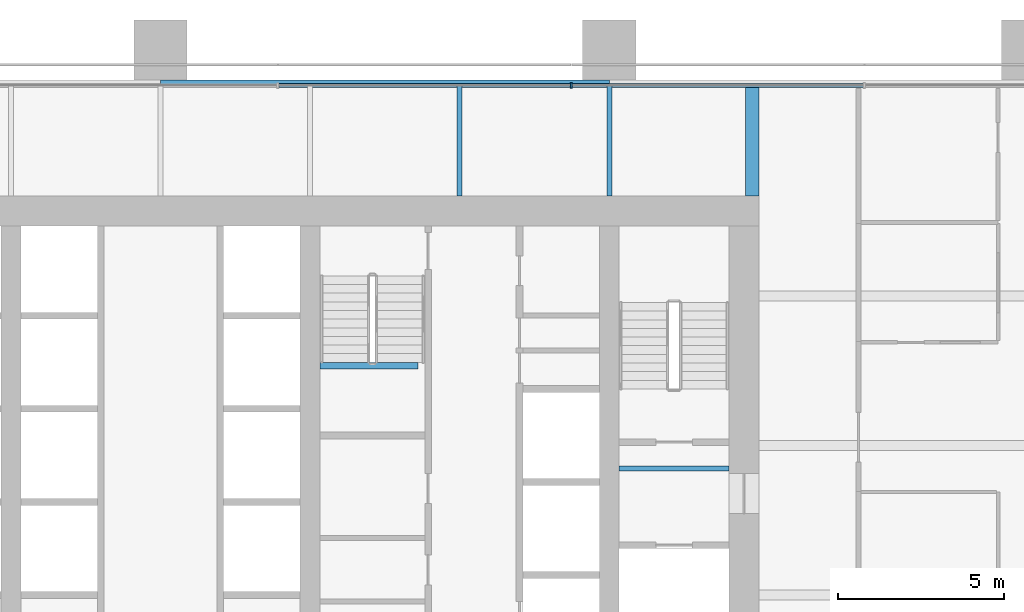
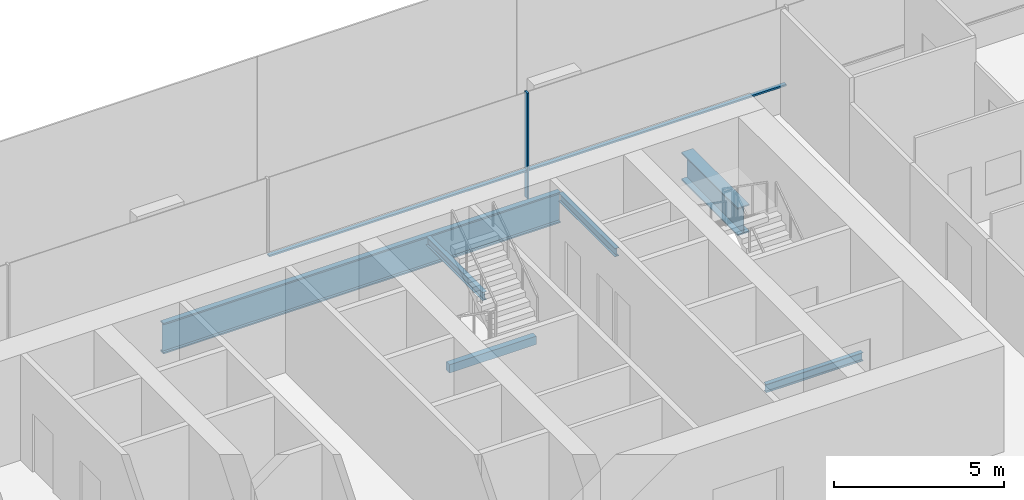
# One storey, part 9 of 19: 6 beams, 3 members, 1 element without a shape of its own.
"""IFC4 building model written with IfcOpenShell, lengths in metres."""

from ifc_helpers import new_model, si_unit, direction, frame, origin, origin_2d, place, context, subcontext, project, spatial, rectangle, i_section, extrude, material, material_profile, profile_set, type_object, element, aggregate, save


model = new_model("IFC4")

# Units and contexts
model_context = context("Model", 3, precision=1e-05, world=origin(), true_north=direction((0.0, 1.0)))
body_context = subcontext(model_context, "Body", "Model", "MODEL_VIEW")
ifc_project = project(units=[si_unit("LENGTHUNIT", "METRE"), si_unit("AREAUNIT", "SQUARE_METRE"), si_unit("VOLUMEUNIT", "CUBIC_METRE"), si_unit("PLANEANGLEUNIT", "RADIAN"), si_unit("MASSUNIT", "GRAM", prefix="KILO")], contexts=[model_context])

# Site, building, storey
site_placement = place(None, origin())
site = spatial("IfcSite", under=ifc_project, at=site_placement, CompositionType="ELEMENT")
building_placement = place(site_placement, origin())
building = spatial("IfcBuilding", under=site, at=building_placement, Name="Rattan Terrace Tower", CompositionType="ELEMENT")
storey_placement = place(building_placement, frame((0.0, 0.0, 79.699951171875)))
storey = spatial("IfcBuildingStorey", under=building, at=storey_placement, Name="L17", CompositionType="ELEMENT", Elevation=79.699951171875)

# Beam
ifc_material_1 = material(Name="Concrete C40/50", Category="concrete")
ifc_material_profile_1 = material_profile(ifc_material_1, rectangle(XDim=0.199951171875, YDim=0.300048828125, at=origin_2d()), Name="RC 200x300")
ifc_profile_set_1 = profile_set([ifc_material_profile_1], Name="Concrete C40/50")
beam_type_1 = type_object("IfcBeamType", Name="Core landing beam RC 200x300", PredefinedType="BEAM", material=ifc_profile_set_1)
beam_1_placement = place(storey_placement, frame((4.800048828125, 2.39990234375, 1.650146484375), z_axis=(1.0, 0.0, 0.0), x_axis=(0.0, 1.0, 0.0)))
element("IfcBeam", 1, at=beam_1_placement, inside=storey, type_object=beam_type_1, Name="st-S3-L17 landing 1 edge beam", PredefinedType="BEAM", context=body_context, shape_type="SweptSolid", body=[
    extrude(rectangle(XDim=0.199951171875, YDim=0.300048828125, at=origin_2d()), origin(), (0.0, 0.0, 1.0), 2.949951171875),
])

# Curtain wall, members
ifc_material_2 = material(Name="Aluminium and glass", Category="aluminium")
curtain_wall_type = type_object("IfcCurtainWallType", Name="Facade Unitised Curtain Wall", PredefinedType="NOTDEFINED", material=ifc_material_2)
curtain_wall_placement = place(storey_placement, origin())
curtain_wall = element("IfcCurtainWall", 2, at=curtain_wall_placement, inside=storey, type_object=curtain_wall_type, Name="Curtain wall L17-2", PredefinedType="NOTDEFINED")
ifc_material_3 = material(Name="Aluminium", Category="aluminium")
ifc_material_profile_2 = material_profile(ifc_material_3, rectangle(XDim=0.06005859375, YDim=0.159912109375, at=origin_2d()), Name="Aluminium 60x160")
ifc_profile_set_2 = profile_set([ifc_material_profile_2], Name="Aluminium")
member_type_1 = type_object("IfcMemberType", Name="Facade CW Mullion 60x160", PredefinedType="MULLION", material=ifc_profile_set_2)
member_1_placement = place(storey_placement, frame((12.35400390625, 10.830078125, 0.0), z_axis=(0.0, 0.0, 1.0), x_axis=(-1.0, 0.0, 0.0)))
member_1 = element("IfcMember", 3, at=member_1_placement, type_object=member_type_1, Name="Mullion cwl-L17-002.3", PredefinedType="MULLION", context=body_context, shape_type="SweptSolid", body=[
    extrude(rectangle(XDim=0.06005859375, YDim=0.159912109375, at=origin_2d()), origin(), (0.0, 0.0, 1.0), 3.800048828125),
])
ifc_material_4 = material(Name="Aluminium", Category="aluminium")
ifc_material_profile_3 = material_profile(ifc_material_4, rectangle(XDim=0.1201171875, YDim=0.06005859375, at=origin_2d()), Name="Aluminium 120x60")
ifc_profile_set_3 = profile_set([ifc_material_profile_3], Name="Aluminium")
member_type_2 = type_object("IfcMemberType", Name="Facade CW Transom 120x60", PredefinedType="USERDEFINED", material=ifc_profile_set_3)
member_2_placement = place(storey_placement, frame((21.14697265625, 10.830078125, 1.0), z_axis=(-1.0, 0.0, 0.0), x_axis=(0.0, -1.0, 0.0)))
member_2 = element("IfcMember", 4, at=member_2_placement, type_object=member_type_2, Name="Transom cwl-L17-002.2", ObjectType="TRANSOM", PredefinedType="USERDEFINED", context=body_context, shape_type="SweptSolid", body=[
    extrude(rectangle(XDim=0.1201171875, YDim=0.06005859375, at=origin_2d()), origin(), (0.0, 0.0, 1.0), 8.762939453125),
])
member_3_placement = place(storey_placement, frame((12.323974609375, 10.830078125, 1.0), z_axis=(-1.0, 0.0, 0.0), x_axis=(0.0, -1.0, 0.0)))
member_3 = element("IfcMember", 5, at=member_3_placement, type_object=member_type_2, Name="Transom cwl-L17-002.3", ObjectType="TRANSOM", PredefinedType="USERDEFINED", context=body_context, shape_type="SweptSolid", body=[
    extrude(rectangle(XDim=0.1201171875, YDim=0.06005859375, at=origin_2d()), origin(), (0.0, 0.0, 1.0), 8.762939453125),
])
aggregate(curtain_wall, [member_1, member_2, member_3])

# Beams
ifc_material_5 = material(Name="Steel S460", Category="steel")
ifc_material_profile_4 = material_profile(ifc_material_5, i_section(OverallWidth=0.39990234375, OverallDepth=1.0, WebThickness=0.01806640625, FlangeThickness=0.044921875, at=origin_2d()), Name="PG 1000x400-18-45")
ifc_profile_set_4 = profile_set([ifc_material_profile_4], Name="Steel S460")
beam_type_2 = type_object("IfcBeamType", Name="Frame core girder PG 1000x400-18-45", PredefinedType="BEAM", material=ifc_profile_set_4)
beam_2_placement = place(storey_placement, frame((17.800048828125, 7.5, -0.699951171875), z_axis=(0.0, 1.0, 0.0), x_axis=(-1.0, 0.0, 0.0)))
element("IfcBeam", 6, at=beam_2_placement, inside=storey, type_object=beam_type_2, Name="gdr-L17-010", PredefinedType="BEAM", context=body_context, shape_type="SweptSolid", body=[
    extrude(i_section(OverallWidth=0.39990234375, OverallDepth=1.0, WebThickness=0.01806640625, FlangeThickness=0.044921875, at=origin_2d()), origin(), (0.0, 0.0, 1.0), 3.320068359375),
])
ifc_material_6 = material(Name="Steel S460", Category="steel")
ifc_material_profile_5 = material_profile(ifc_material_6, i_section(OverallWidth=0.179931640625, OverallDepth=1.10009765625, WebThickness=0.01611328125, FlangeThickness=0.050048828125, at=origin_2d()), Name="PG 1100x180-16-50")
ifc_profile_set_5 = profile_set([ifc_material_profile_5], Name="Steel S460")
beam_type_3 = type_object("IfcBeamType", Name="Frame edge girder PG 1100x180-16-50", PredefinedType="SPANDREL", material=ifc_profile_set_5)
beam_3_placement = place(storey_placement, frame((13.5, 10.909912109375, -0.75), z_axis=(-1.0, 0.0, 0.0), x_axis=(0.0, -1.0, 0.0)))
element("IfcBeam", 7, at=beam_3_placement, inside=storey, type_object=beam_type_3, Name="gdr-L17-007", PredefinedType="SPANDREL", context=body_context, shape_type="SweptSolid", body=[
    extrude(i_section(OverallWidth=0.179931640625, OverallDepth=1.10009765625, WebThickness=0.01611328125, FlangeThickness=0.050048828125, at=origin_2d()), origin(), (0.0, 0.0, 1.0), 13.5),
])
ifc_material_7 = material(Name="Steel S355", Category="steel")
ifc_material_profile_6 = material_profile(ifc_material_7, i_section(OverallWidth=0.14990234375, OverallDepth=0.300048828125, WebThickness=0.007080078125, FlangeThickness=0.0107421875, FilletRadius=0.014892578125, at=origin_2d()), Name="IPE 300")
ifc_profile_set_6 = profile_set([ifc_material_profile_6], Name="Steel S355")
beam_type_4 = type_object("IfcBeamType", Name="Frame floor beam IPE 300", PredefinedType="JOIST", material=ifc_profile_set_6)
beam_4_placement = place(storey_placement, frame((13.800048828125, -0.695068359375, -0.349853515625), z_axis=(1.0, 0.0, 0.0), x_axis=(0.0, 1.0, 0.0)))
element("IfcBeam", 8, at=beam_4_placement, inside=storey, type_object=beam_type_4, Name="bm-L17-002", PredefinedType="JOIST", context=body_context, shape_type="SweptSolid", body=[
    extrude(i_section(OverallWidth=0.14990234375, OverallDepth=0.300048828125, WebThickness=0.007080078125, FlangeThickness=0.0107421875, FilletRadius=0.014892578125, at=origin_2d()), origin(), (0.0, 0.0, 1.0), 3.300048828125),
])
for number, where, z_axis, x_axis, name in (
    (9, (9.0, 7.5, -0.349853515625), (0.0, 1.0, 0.0), (-1.0, 0.0, 0.0), "bm-L17-023"),
    (10, (13.5, 7.5, -0.349853515625), (0.0, 1.0, 0.0), (-1.0, 0.0, 0.0), "bm-L17-024"),
):
    element("IfcBeam", number, at=place(storey_placement, frame(where, z_axis=z_axis, x_axis=x_axis)), inside=storey, type_object=beam_type_4, Name=name, PredefinedType="JOIST", context=body_context, shape_type="SweptSolid", body=[
        extrude(i_section(OverallWidth=0.14990234375, OverallDepth=0.300048828125, WebThickness=0.007080078125, FlangeThickness=0.0107421875, FilletRadius=0.014892578125, at=origin_2d()), origin(), (0.0, 0.0, 1.0), 3.320068359375),
    ])

save(model, "model.ifc")
